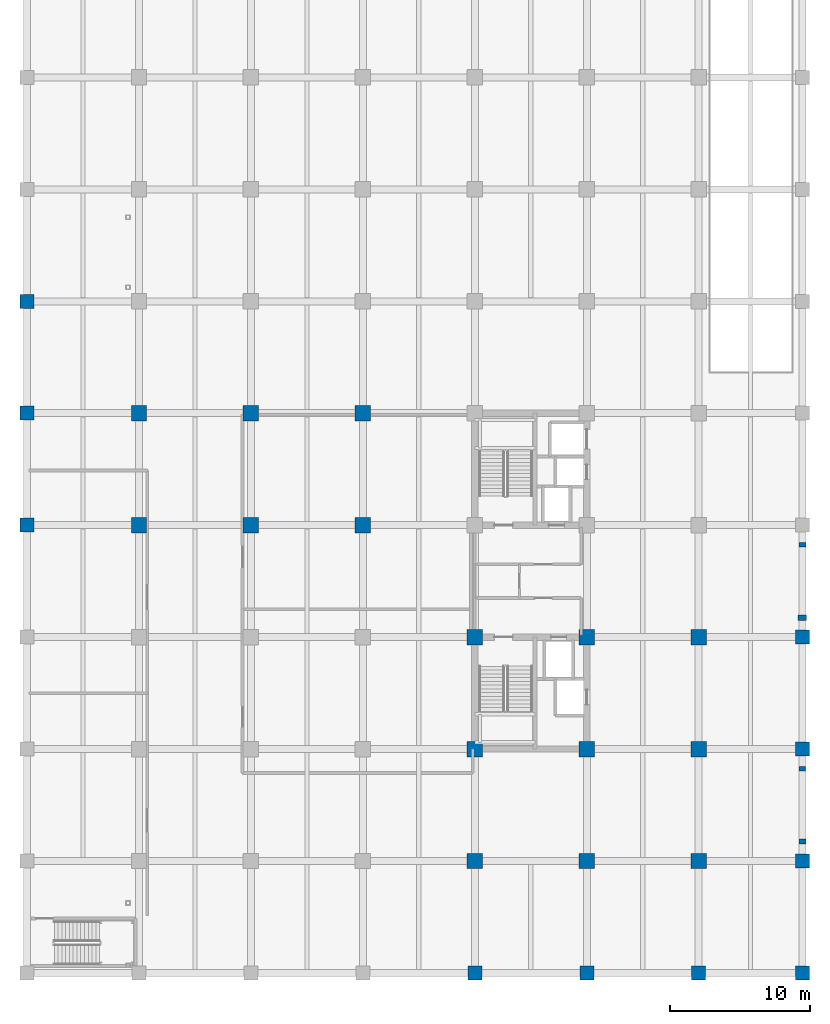
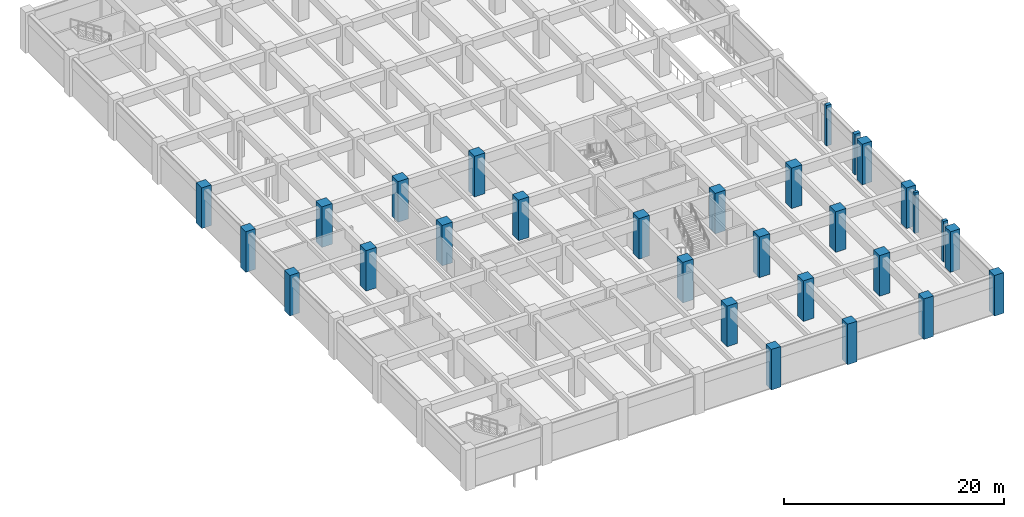
# One storey, part 3 of 16: 29 columns.
"""IFC4 building model written with IfcOpenShell, lengths in metres."""

from ifc_helpers import new_model, si_unit, direction, frame, origin, origin_2d, place, context, subcontext, project, spatial, rectangle, extrude, material, material_profile, profile_set, type_object, element, save


model = new_model("IFC4")

# Units and contexts
model_context = context("Model", 3, precision=1e-05, world=origin(), true_north=direction((0.0, 1.0)))
body_context = subcontext(model_context, "Body", "Model", "MODEL_VIEW")
ifc_project = project(units=[si_unit("LENGTHUNIT", "METRE"), si_unit("AREAUNIT", "SQUARE_METRE"), si_unit("VOLUMEUNIT", "CUBIC_METRE"), si_unit("PLANEANGLEUNIT", "RADIAN"), si_unit("MASSUNIT", "GRAM", prefix="KILO")], contexts=[model_context])

# Site, building, storey
site_placement = place(None, origin())
site = spatial("IfcSite", under=ifc_project, at=site_placement, CompositionType="ELEMENT")
building_placement = place(site_placement, origin())
building = spatial("IfcBuilding", under=site, at=building_placement, Name="Canggui Botanical Conservatory", CompositionType="ELEMENT")
storey_placement = place(building_placement, frame((0.0, 0.0, -4.5)))
storey = spatial("IfcBuildingStorey", under=building, at=storey_placement, Name="B1", CompositionType="ELEMENT", Elevation=-4.5)

# Columns
ifc_material_1 = material(Name="Concrete C50", Category="concrete")
ifc_material_profile_1 = material_profile(ifc_material_1, rectangle(XDim=1.10009765625, YDim=1.10009765625, at=origin_2d()), Name="RC 1100x1100")
ifc_profile_set_1 = profile_set([ifc_material_profile_1], Name="Concrete C50")
column_type_1 = type_object("IfcColumnType", Name="COL-KZ01", PredefinedType="COLUMN", material=ifc_profile_set_1)
for number, where, z_axis, x_axis, name in (
    (1, (130.0, 58.0, 0.0), (0.0, 0.0, 1.0), (1.0, 0.0, 0.0), "Tower RC Column B1 (130,58)"),
    (2, (130.0, 66.0, 0.0), (0.0, 0.0, 1.0), (1.0, 0.0, 0.0), "Tower RC Column B1 (130,66)"),
    (3, (138.0, 58.0, 0.0), (0.0, 0.0, 1.0), (1.0, 0.0, 0.0), "Tower RC Column B1 (138,58)"),
    (4, (138.0, 66.0, 0.0), (0.0, 0.0, 1.0), (1.0, 0.0, 0.0), "Tower RC Column B1 (138,66)"),
    (5, (146.0, 58.0, 0.0), (0.0, 0.0, 1.0), (1.0, 0.0, 0.0), "Tower RC Column B1 (146,58)"),
    (6, (146.0, 66.0, 0.0), (0.0, 0.0, 1.0), (1.0, 0.0, 0.0), "Tower RC Column B1 (146,66)"),
    (7, (154.0, 34.0, 0.0), (0.0, 0.0, 1.0), (1.0, 0.0, 0.0), "Tower RC Column B1 (154,34)"),
    (8, (154.0, 42.0, 0.0), (0.0, 0.0, 1.0), (1.0, 0.0, 0.0), "Tower RC Column B1 (154,42)"),
    (9, (154.0, 50.0, 0.0), (0.0, 0.0, 1.0), (1.0, 0.0, 0.0), "Tower RC Column B1 (154,50)"),
    (10, (162.0, 34.0, 0.0), (0.0, 0.0, 1.0), (1.0, 0.0, 0.0), "Tower RC Column B1 (162,34)"),
    (11, (162.0, 42.0, 0.0), (0.0, 0.0, 1.0), (1.0, 0.0, 0.0), "Tower RC Column B1 (162,42)"),
    (12, (162.0, 50.0, 0.0), (0.0, 0.0, 1.0), (1.0, 0.0, 0.0), "Tower RC Column B1 (162,50)"),
    (13, (170.0, 34.0, 0.0), (0.0, 0.0, 1.0), (1.0, 0.0, 0.0), "Tower RC Column B1 (170,34)"),
    (14, (170.0, 42.0, 0.0), (0.0, 0.0, 1.0), (1.0, 0.0, 0.0), "Tower RC Column B1 (170,42)"),
    (15, (170.0, 50.0, 0.0), (0.0, 0.0, 1.0), (1.0, 0.0, 0.0), "Tower RC Column B1 (170,50)"),
):
    element("IfcColumn", number, at=place(storey_placement, frame(where, z_axis=z_axis, x_axis=x_axis)), inside=storey, type_object=column_type_1, Name=name, PredefinedType="COLUMN", context=body_context, shape_type="SweptSolid", body=[
        extrude(rectangle(XDim=1.10009765625, YDim=1.10009765625, at=origin_2d()), origin(), (0.0, 0.0, 1.0), 4.5),
    ])
ifc_material_profile_2 = material_profile(ifc_material_1, rectangle(XDim=1.0, YDim=1.0, at=origin_2d()), Name="RC 1000x1000")
ifc_profile_set_2 = profile_set([ifc_material_profile_2], Name="Concrete C50")
column_type_2 = type_object("IfcColumnType", Name="COL-KZ03", PredefinedType="COLUMN", material=ifc_profile_set_2)
for number, where, z_axis, x_axis, name in (
    (16, (122.0, 58.0, 0.0), (0.0, 0.0, 1.0), (1.0, 0.0, 0.0), "Tower RC Column B1 (122,58)"),
    (17, (122.0, 66.0, 0.0), (0.0, 0.0, 1.0), (1.0, 0.0, 0.0), "Tower RC Column B1 (122,66)"),
    (18, (122.0, 74.0, 0.0), (0.0, 0.0, 1.0), (1.0, 0.0, 0.0), "Tower RC Column B1 (122,74)"),
    (19, (154.0, 26.0, 0.0), (0.0, 0.0, 1.0), (1.0, 0.0, 0.0), "Tower RC Column B1 (154,26)"),
    (20, (162.0, 26.0, 0.0), (0.0, 0.0, 1.0), (1.0, 0.0, 0.0), "Tower RC Column B1 (162,26)"),
    (21, (170.0, 26.0, 0.0), (0.0, 0.0, 1.0), (1.0, 0.0, 0.0), "Tower RC Column B1 (170,26)"),
    (22, (177.39990234375, 26.0, 0.0), (0.0, 0.0, 1.0), (1.0, 0.0, 0.0), "Tower RC Column B1 (178,26)"),
    (23, (177.39990234375, 34.0, 0.0), (0.0, 0.0, 1.0), (1.0, 0.0, 0.0), "Tower RC Column B1 (178,34)"),
    (24, (177.39990234375, 42.0, 0.0), (0.0, 0.0, 1.0), (1.0, 0.0, 0.0), "Tower RC Column B1 (178,42)"),
    (25, (177.39990234375, 50.0, 0.0), (0.0, 0.0, 1.0), (1.0, 0.0, 0.0), "Tower RC Column B1 (178,50)"),
):
    element("IfcColumn", number, at=place(storey_placement, frame(where, z_axis=z_axis, x_axis=x_axis)), inside=storey, type_object=column_type_2, Name=name, PredefinedType="COLUMN", context=body_context, shape_type="SweptSolid", body=[
        extrude(rectangle(XDim=1.0, YDim=1.0, at=origin_2d()), origin(), (0.0, 0.0, 1.0), 4.5),
    ])
ifc_material_2 = material(Name="Concrete C35", Category="concrete")
ifc_material_profile_3 = material_profile(ifc_material_2, rectangle(XDim=0.39990234375, YDim=0.60009765625, at=origin_2d()), Name="RC 400x600")
ifc_profile_set_3 = profile_set([ifc_material_profile_3], Name="Concrete C35")
column_type_3 = type_object("IfcColumnType", Name="COL-PIL01", PredefinedType="PILASTER", material=ifc_profile_set_3)
column_1_placement = place(storey_placement, frame((177.39990234375, 51.39990234375, 0.0), z_axis=(0.0, 0.0, 1.0), x_axis=(0.0, 1.0, 0.0)))
element("IfcColumn", 26, at=column_1_placement, inside=storey, type_object=column_type_3, Name="Tower East Colonnade Pilaster B1 BZ-03", PredefinedType="PILASTER", context=body_context, shape_type="SweptSolid", body=[
    extrude(rectangle(XDim=0.39990234375, YDim=0.60009765625, at=origin_2d()), origin(), (0.0, 0.0, 1.0), 4.5),
])
ifc_material_profile_4 = material_profile(ifc_material_2, rectangle(XDim=0.35009765625, YDim=0.5, at=origin_2d()), Name="RC 350x500")
ifc_profile_set_4 = profile_set([ifc_material_profile_4], Name="Concrete C35")
column_type_4 = type_object("IfcColumnType", Name="COL-PIL02", PredefinedType="PILASTER", material=ifc_profile_set_4)
for number, where, z_axis, x_axis, name in (
    (27, (177.39990234375, 35.39990234375, 0.0), (0.0, 0.0, 1.0), (0.0, 1.0, 0.0), "Tower East Colonnade Pilaster B1 BZ-01"),
    (28, (177.39990234375, 56.60009765625, 0.0), (0.0, 0.0, 1.0), (0.0, 1.0, 0.0), "Tower East Colonnade Pilaster B1 BZ-04"),
):
    element("IfcColumn", number, at=place(storey_placement, frame(where, z_axis=z_axis, x_axis=x_axis)), inside=storey, type_object=column_type_4, Name=name, PredefinedType="PILASTER", context=body_context, shape_type="SweptSolid", body=[
        extrude(rectangle(XDim=0.35009765625, YDim=0.5, at=origin_2d()), origin(), (0.0, 0.0, 1.0), 4.5),
    ])
ifc_material_profile_5 = material_profile(ifc_material_2, rectangle(XDim=0.300048828125, YDim=0.449951171875, at=origin_2d()), Name="RC 300x450")
ifc_profile_set_5 = profile_set([ifc_material_profile_5], Name="Concrete C35")
column_type_5 = type_object("IfcColumnType", Name="COL-PIL03", PredefinedType="PILASTER", material=ifc_profile_set_5)
column_2_placement = place(storey_placement, frame((177.39990234375, 40.60009765625, 0.0), z_axis=(0.0, 0.0, 1.0), x_axis=(0.0, 1.0, 0.0)))
element("IfcColumn", 29, at=column_2_placement, inside=storey, type_object=column_type_5, Name="Tower East Colonnade Pilaster B1 BZ-02", PredefinedType="PILASTER", context=body_context, shape_type="SweptSolid", body=[
    extrude(rectangle(XDim=0.300048828125, YDim=0.449951171875, at=origin_2d()), origin(), (0.0, 0.0, 1.0), 4.5),
])

save(model, "model.ifc")
